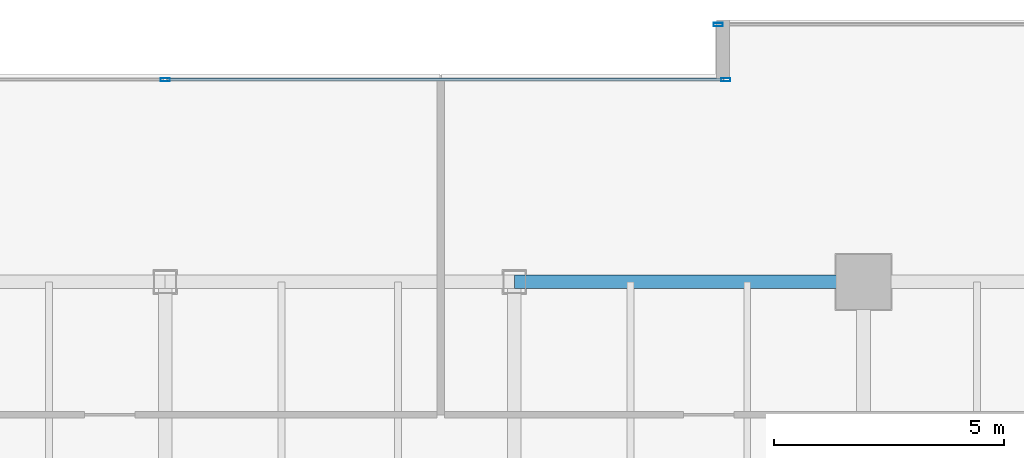
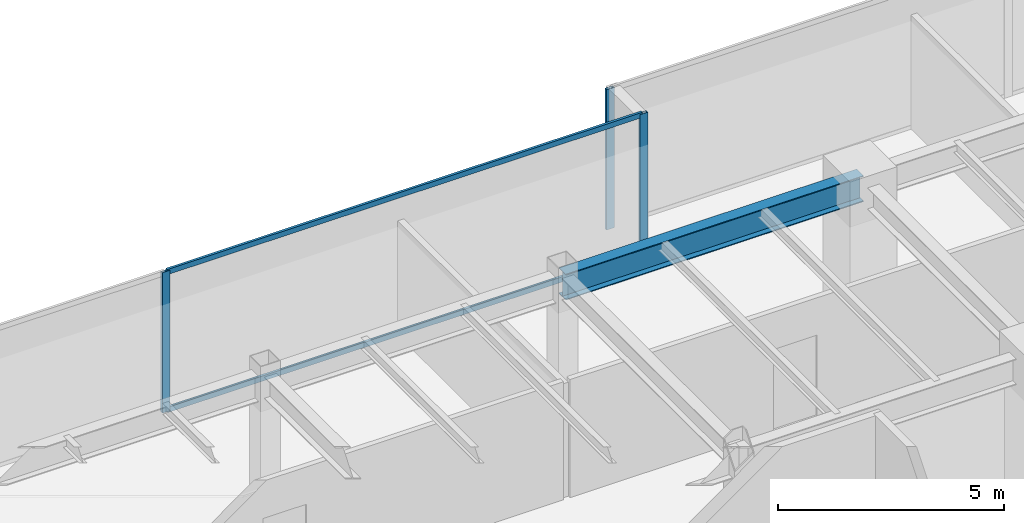
# One storey, part 18 of 34: 5 members, 1 beam, 2 elements without a shape of their own.
"""IFC4 building model written with IfcOpenShell, lengths in metres."""

from ifc_helpers import new_model, si_unit, direction, frame, origin, origin_2d, place, context, subcontext, project, spatial, hollow_rectangle, i_section, extrude, source, transform, mapped, material, layer, layer_set, material_profile, profile_set, type_object, type_shapes, element, aggregate, save


model = new_model("IFC4")

# Units and contexts
model_context = context("Model", 3, precision=1e-05, world=origin(), true_north=direction((0.0, 1.0)))
body_context = subcontext(model_context, "Body", "Model", "MODEL_VIEW")
ifc_project = project(units=[si_unit("LENGTHUNIT", "METRE"), si_unit("AREAUNIT", "SQUARE_METRE"), si_unit("VOLUMEUNIT", "CUBIC_METRE"), si_unit("PLANEANGLEUNIT", "RADIAN"), si_unit("MASSUNIT", "GRAM", prefix="KILO")], contexts=[model_context])

# Site, building, storey
site_placement = place(None, origin())
site = spatial("IfcSite", under=ifc_project, at=site_placement, CompositionType="ELEMENT")
building_placement = place(site_placement, origin())
building = spatial("IfcBuilding", under=site, at=building_placement, Name="Haelvirn Gate Laboratories", CompositionType="ELEMENT")
storey_placement = place(building_placement, frame((0.0, 0.0, 178.89990234375)))
storey = spatial("IfcBuildingStorey", under=building, at=storey_placement, Name="L43", CompositionType="ELEMENT", Elevation=178.89990234375)

# Beam
ifc_material_1 = material(Name="Steel SM355", Category="steel")
ifc_material_profile_1 = material_profile(ifc_material_1, i_section(OverallWidth=0.300048828125, OverallDepth=0.699951171875, WebThickness=0.012939453125, FlangeThickness=0.02392578125, at=origin_2d()), Name="H-700x300x13x24")
ifc_profile_set_1 = profile_set([ifc_material_profile_1], Name="Steel SM355")
beam_type = type_object("IfcBeamType", Name="BM-G-700", PredefinedType="BEAM", material=ifc_profile_set_1)
shared_shape_1 = source(origin(), body_context, "Body", "SweptSolid", [
    extrude(i_section(OverallWidth=0.300048828125, OverallDepth=0.699951171875, WebThickness=0.012939453125, FlangeThickness=0.02392578125, at=origin_2d()), origin(), (0.0, 0.0, 1.0), 7.60009765625),
])
type_shapes(beam_type, [shared_shape_1])
beam_placement = place(storey_placement, frame((45.0, 41.60009765625, 3.440185546875), z_axis=(1.0, 0.0, 0.0), x_axis=(0.0, 1.0, 0.0)))
element("IfcBeam", 1, at=beam_placement, inside=storey, type_object=beam_type, Name="L43 Primary Girder Y41.6 (45.0-52.6)", PredefinedType="BEAM", context=body_context, shape_type="MappedRepresentation", body=[
    mapped(shared_shape_1, transform((0.0, 0.0, 0.0), scale=1.0)),
])

# Curtain wall, members
ifc_material_2 = material(Name="Anodised bronze unitised aluminium & triple low-E glass", Category="aluminium")
ifc_layer = layer(ifc_material_2, 0.179931640625, Name="CW-SYS-3")
ifc_layer_set = layer_set([ifc_layer], Name="Anodised bronze unitised aluminium & triple low-E glass")
curtain_wall_type = type_object("IfcCurtainWallType", Name="CW-SYS-3", PredefinedType="NOTDEFINED", material=ifc_layer_set)
curtain_wall_1_placement = place(storey_placement, origin())
curtain_wall_1 = element("IfcCurtainWall", 2, at=curtain_wall_1_placement, inside=storey, type_object=curtain_wall_type, Name="L43 Unitised Curtain Wall CW-L43-P0-E12-1", PredefinedType="NOTDEFINED")
ifc_material_3 = material(Name="Extruded aluminium 6063-T6 (anodised bronze)", Category="aluminium")
ifc_material_profile_2 = material_profile(ifc_material_3, hollow_rectangle(XDim=0.06494140625, YDim=0.139892578125, WallThickness=0.00390625, at=origin_2d()), Name="CWT-140x65x4")
ifc_profile_set_2 = profile_set([ifc_material_profile_2], Name="Extruded aluminium 6063-T6 (anodised bronze)")
member_type_1 = type_object("IfcMemberType", Name="CWT-T140", PredefinedType="USERDEFINED", material=ifc_profile_set_2)
shared_shape_2 = source(origin(), body_context, "Body", "SweptSolid", [
    extrude(hollow_rectangle(XDim=0.06494140625, YDim=0.139892578125, WallThickness=0.00390625, at=origin_2d()), origin(), (0.0, 0.0, 1.0), 12.12744140625),
])
type_shapes(member_type_1, [shared_shape_2])
member_1_placement = place(storey_placement, frame((37.4375, 46.0, 0.03271484375), z_axis=(1.0, 0.0, 0.0), x_axis=(0.0, 1.0, 0.0)))
member_1 = element("IfcMember", 3, at=member_1_placement, type_object=member_type_1, Name="CW3 transom 2.1", ObjectType="TRANSOM", PredefinedType="USERDEFINED", context=body_context, shape_type="MappedRepresentation", body=[
    mapped(shared_shape_2, transform((0.0, 0.0, 0.0), scale=1.0)),
])
member_2_placement = place(storey_placement, frame((37.4375, 46.0, 3.757568359375), z_axis=(1.0, 0.0, 0.0), x_axis=(0.0, 1.0, 0.0)))
member_2 = element("IfcMember", 4, at=member_2_placement, type_object=member_type_1, Name="CW3 transom 2.2", ObjectType="TRANSOM", PredefinedType="USERDEFINED", context=body_context, shape_type="MappedRepresentation", body=[
    mapped(shared_shape_2, transform((0.0, 0.0, 0.0), scale=1.0)),
])

# Curtain wall, member
curtain_wall_2_placement = place(storey_placement, origin())
curtain_wall_2 = element("IfcCurtainWall", 5, at=curtain_wall_2_placement, inside=storey, type_object=curtain_wall_type, Name="L43 Unitised Curtain Wall CW-L43-P0-E10-1", PredefinedType="NOTDEFINED")
ifc_material_profile_3 = material_profile(ifc_material_3, hollow_rectangle(XDim=0.074951171875, YDim=0.199951171875, WallThickness=0.0048828125, at=origin_2d()), Name="CWM-200x75x5")
ifc_profile_set_3 = profile_set([ifc_material_profile_3], Name="Extruded aluminium 6063-T6 (anodised bronze)")
member_type_2 = type_object("IfcMemberType", Name="CWM-T200", PredefinedType="MULLION", material=ifc_profile_set_3)
shared_shape_3 = source(origin(), body_context, "Body", "SweptSolid", [
    extrude(hollow_rectangle(XDim=0.074951171875, YDim=0.199951171875, WallThickness=0.0048828125, at=origin_2d()), origin(), (0.0, 0.0, 1.0), 3.7900390625),
])
type_shapes(member_type_2, [shared_shape_3])
member_3_placement = place(storey_placement, frame((49.4375, 47.199951171875, 0.0), z_axis=(0.0, 0.0, 1.0), x_axis=(0.0, 1.0, 0.0)))
member_3 = element("IfcMember", 6, at=member_3_placement, type_object=member_type_2, Name="CW3 mullion 1", PredefinedType="MULLION", context=body_context, shape_type="MappedRepresentation", body=[
    mapped(shared_shape_3, transform((0.0, 0.0, 0.0), scale=1.0)),
])
aggregate(curtain_wall_2, [member_3])

# Member
member_4_placement = place(storey_placement, frame((37.39990234375, 46.0, 0.0), z_axis=(0.0, 0.0, 1.0), x_axis=(0.0, 1.0, 0.0)))
member_4 = element("IfcMember", 7, at=member_4_placement, type_object=member_type_2, Name="CW3 mullion 2", PredefinedType="MULLION", context=body_context, shape_type="MappedRepresentation", body=[
    mapped(shared_shape_3, transform((0.0, 0.0, 0.0), scale=1.0)),
])

member_5_placement = place(storey_placement, frame((49.6025390625, 46.0, 0.0), z_axis=(0.0, 0.0, 1.0), x_axis=(0.0, 1.0, 0.0)))
member_5 = element("IfcMember", 8, at=member_5_placement, type_object=member_type_2, Name="CW3 mullion 3", PredefinedType="MULLION", context=body_context, shape_type="MappedRepresentation", body=[
    mapped(shared_shape_3, transform((0.0, 0.0, 0.0), scale=1.0)),
])

aggregate(curtain_wall_1, [member_4, member_5, member_1, member_2])

save(model, "model.ifc")
